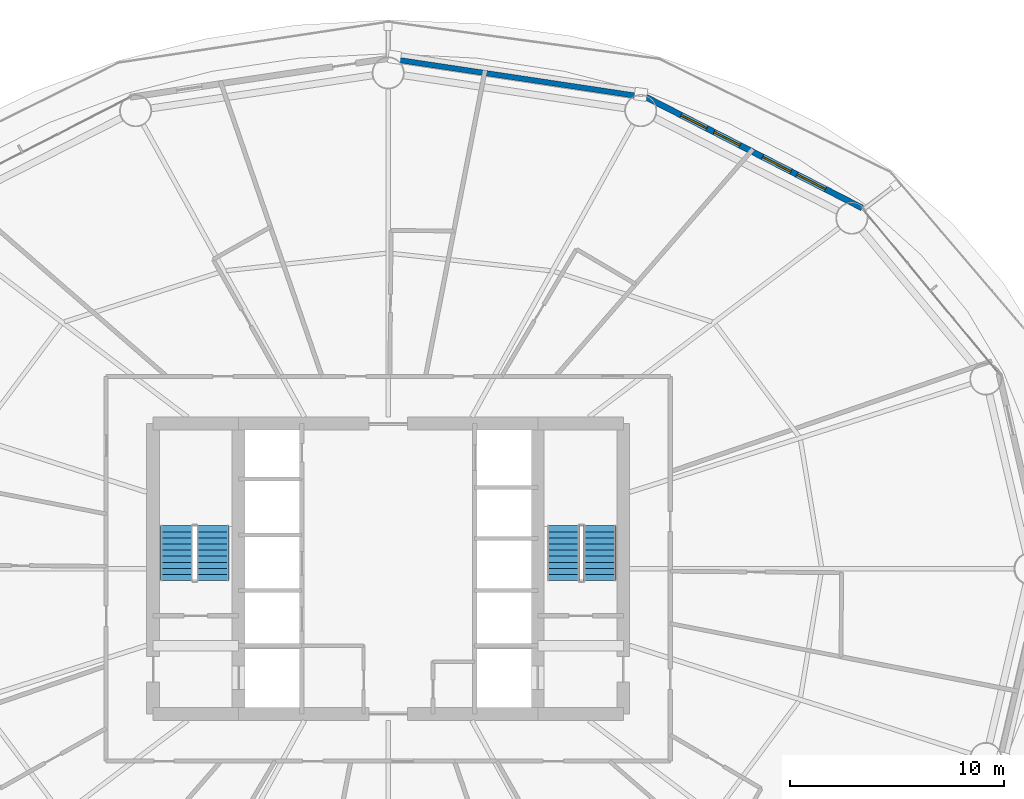
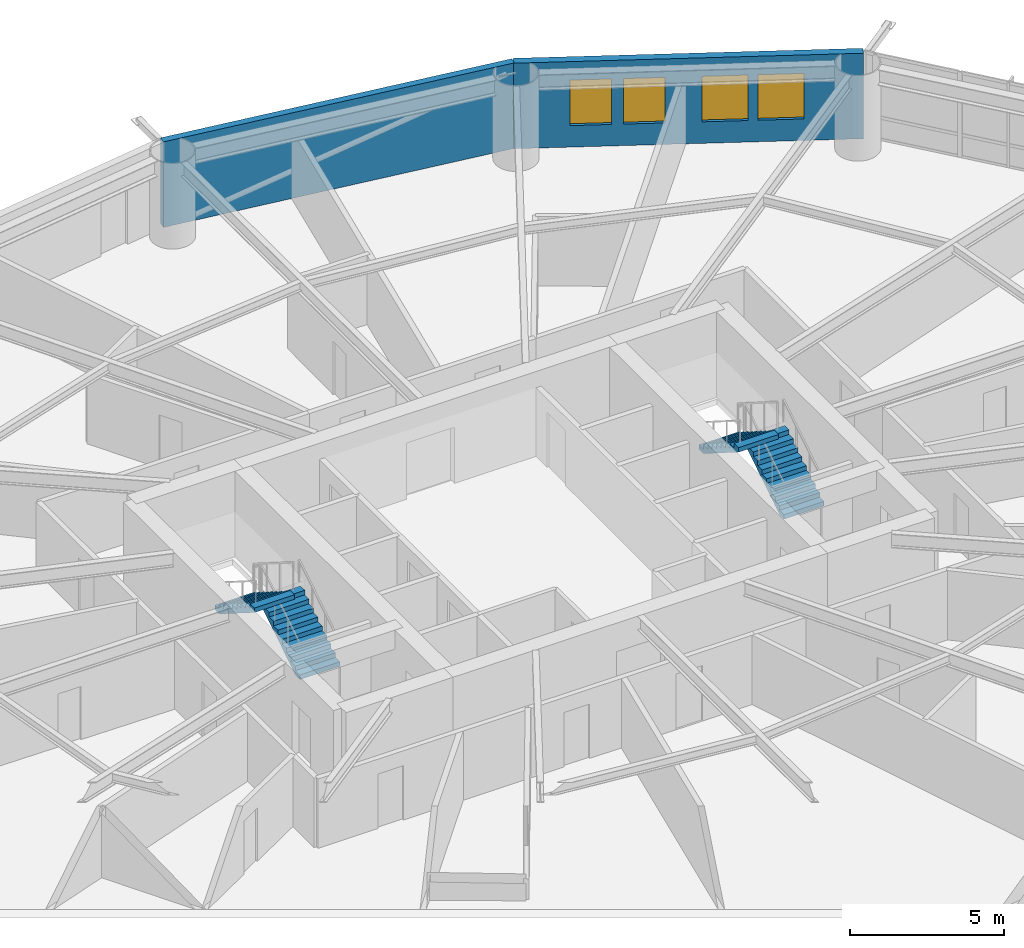
# One storey, part 23 of 26: 4 stair flights, 4 windows, 2 walls, 4 openings, 2 elements without a shape of their own.
"""IFC4 building model written with IfcOpenShell, lengths in metres."""

import ifcopenshell
import ifcopenshell.guid

model = None  # the IFC model being written
_history = None  # IfcOwnerHistory: only IFC2X3 demands one
_inside = {}  # id of a spatial element -> (the spatial element, [elements in it])
_under = {}  # id of a project, library or spatial element -> (it, [spatial elements below it])
_declared = {}  # id of a project -> (the project, [libraries it declares])
_typed = {}  # id of a type object -> (the type object, [elements of that type])
_made_of = {}  # id of a material, layer set ... -> (it, [elements and type objects made of it])


def new_model(schema):
    """Start an empty IFC model of exactly this schema.

    Asked for "IFC4X3", IfcOpenShell would pick the latest addendum, in which some entities
    have other attributes; the version numbers below select the first issue.
    IFC2X3 requires an IfcOwnerHistory on every rooted entity: one is made here for all.
    """
    global model, _history
    if schema == "IFC4X3":
        model = ifcopenshell.file(schema_version=(4, 3, 0, 0))
    else:
        model = ifcopenshell.file(schema=schema)
    _inside.clear()
    _under.clear()
    _declared.clear()
    _typed.clear()
    _made_of.clear()
    _history = None
    if model.schema == "IFC2X3":
        org = make("IfcOrganization", Name="unknown")
        user = make(
            "IfcPersonAndOrganization",
            ThePerson=make("IfcPerson", FamilyName="unknown"),
            TheOrganization=org,
        )
        app = make(
            "IfcApplication",
            ApplicationDeveloper=org,
            Version="unknown",
            ApplicationFullName="unknown",
            ApplicationIdentifier="unknown",
        )
        _history = make(
            "IfcOwnerHistory",
            OwningUser=user,
            OwningApplication=app,
            ChangeAction="ADDED",
            CreationDate=0,
        )
    return model


def make(cls, **values):
    """One entity of the class cls with the attributes given. An attribute that is None is left unset."""
    return model.create_entity(
        cls, **{name: value for name, value in values.items() if value is not None}
    )


def rooted(cls, **values):
    """An entity with a GlobalId (a new one), such as an element, a storey or a relation."""
    return make(cls, GlobalId=ifcopenshell.guid.new(), OwnerHistory=_history, **values)


def si_unit(unit_type, name, prefix=None):
    """IfcSIUnit, for example si_unit("LENGTHUNIT", "METRE", prefix="MILLI")."""
    return make("IfcSIUnit", UnitType=unit_type, Prefix=prefix, Name=name)


def assignment(units):
    """IfcUnitAssignment: the units of a project."""
    return None if units is None else make("IfcUnitAssignment", Units=units)


def point(xyz):
    """IfcCartesianPoint."""
    return None if xyz is None else make("IfcCartesianPoint", Coordinates=xyz)


def direction(xyz):
    """IfcDirection."""
    return None if xyz is None else make("IfcDirection", DirectionRatios=xyz)


def frame(location, z_axis=None, x_axis=None):
    """IfcAxis2Placement3D, a coordinate frame: its origin and axes. An axis left out is left unset."""
    return make(
        "IfcAxis2Placement3D",
        Location=point(location),
        Axis=direction(z_axis),
        RefDirection=direction(x_axis),
    )


def frame_2d(location, x_axis=None):
    """IfcAxis2Placement2D, a coordinate frame in the plane: its origin and x axis."""
    return make(
        "IfcAxis2Placement2D", Location=point(location), RefDirection=direction(x_axis)
    )


def origin():
    """The frame at (0, 0, 0) with its axes left unset."""
    return frame((0.0, 0.0, 0.0))


def place(relative_to, where):
    """IfcLocalPlacement: puts the frame where relative to a parent placement (None: the world)."""
    return make(
        "IfcLocalPlacement", PlacementRelTo=relative_to, RelativePlacement=where
    )


def context(
    kind, dimensions, precision=None, world=None, true_north=None, identifier=None
):
    """IfcGeometricRepresentationContext, for example the 3D "Model" context."""
    return make(
        "IfcGeometricRepresentationContext",
        ContextIdentifier=identifier,
        ContextType=kind,
        CoordinateSpaceDimension=dimensions,
        Precision=precision,
        WorldCoordinateSystem=world,
        TrueNorth=true_north,
    )


def subcontext(parent, identifier, kind, view, scale=None):
    """IfcGeometricRepresentationSubContext, for example "Body" below "Model"."""
    return make(
        "IfcGeometricRepresentationSubContext",
        ContextIdentifier=identifier,
        ContextType=kind,
        ParentContext=parent,
        TargetScale=scale,
        TargetView=view,
    )


def project(units=None, contexts=None):
    """IfcProject with its units and contexts."""
    return rooted(
        "IfcProject",
        Name="project",
        RepresentationContexts=contexts,
        UnitsInContext=assignment(units),
    )


def spatial(cls, under=None, at=None, **own):
    """A site, building, storey or space (cls), placed at a placement, below another one or the project."""
    s = rooted(cls, ObjectPlacement=at, **own)
    if under is not None:
        _under.setdefault(under.id(), (under, []))[1].append(s)
    return s


def polyline(points):
    """IfcPolyline through the points."""
    return make("IfcPolyline", Points=[point(p) for p in points])


def profile(cls, at=None, kind="AREA", **sizes):
    """A parametric profile (cls). Its sizes go by their IFC names, for example OverallWidth=200.0."""
    return make(cls, ProfileType=kind, Position=at, **sizes)


def rectangle(**sizes):
    """IfcRectangleProfileDef."""
    return profile("IfcRectangleProfileDef", **sizes)


def outline(outer, holes=None, kind="AREA"):
    """IfcArbitraryClosedProfileDef: a profile drawn as a closed curve; with holes, ...WithVoids."""
    if holes is None:
        return make("IfcArbitraryClosedProfileDef", ProfileType=kind, OuterCurve=outer)
    return make(
        "IfcArbitraryProfileDefWithVoids",
        ProfileType=kind,
        OuterCurve=outer,
        InnerCurves=holes,
    )


def extrude(swept, where, along, depth):
    """IfcExtrudedAreaSolid: the profile swept, set in the frame where, extruded along a direction by depth."""
    return make(
        "IfcExtrudedAreaSolid",
        SweptArea=swept,
        Position=where,
        ExtrudedDirection=direction(along),
        Depth=depth,
    )


def shape(context_of_items, identifier, shape_type, items):
    """IfcShapeRepresentation: the items that make up one representation, for example the "Body"."""
    return make(
        "IfcShapeRepresentation",
        ContextOfItems=context_of_items,
        RepresentationIdentifier=identifier,
        RepresentationType=shape_type,
        Items=items,
    )


def material(Name=None, Category=None):
    """IfcMaterial."""
    return make("IfcMaterial", Name=Name, Category=Category)


def layer(
    of_material, thickness, ventilated=None, Name=None, Category=None, Priority=None
):
    """IfcMaterialLayer: one layer of a wall or slab, of a material (None: an air gap)."""
    return make(
        "IfcMaterialLayer",
        Material=of_material,
        LayerThickness=thickness,
        IsVentilated=ventilated,
        Name=Name,
        Category=Category,
        Priority=Priority,
    )


def layer_set(layers, Name=None):
    """IfcMaterialLayerSet."""
    return make("IfcMaterialLayerSet", MaterialLayers=layers, LayerSetName=Name)


def made_of(thing, what):
    """Note that an element or type object is made of a material, layer set ...; save() writes the relation."""
    if what is not None:
        _made_of.setdefault(what.id(), (what, []))[1].append(thing)
    return thing


def type_object(cls, material=None, **own):
    """A type object (cls), such as IfcWallType, which elements share."""
    return made_of(rooted(cls, **own), material)


def element(
    cls,
    number,
    at=None,
    inside=None,
    cuts=None,
    type_object=None,
    material=None,
    context=None,
    identifier="Body",
    shape_type=None,
    held_by="IfcProductDefinitionShape",
    body=None,
    shapes=None,
    **own,
):
    """One element of the class cls, such as IfcWall. Its Tag is "e" and its number.

    at: its placement. inside: the storey or other place that contains it. cuts: it is an
    opening in that element (IfcRelVoidsElement). A single representation is given by context,
    identifier, shape_type and body (its items); several are given by shapes. held_by: the class
    of the entity that holds the representations. save() writes the other relations.
    """
    e = rooted(cls, Tag="e%d" % number, ObjectPlacement=at, **own)
    if body is not None:
        shapes = [shape(context, identifier, shape_type, body)]
    if shapes is not None:
        e.Representation = make(held_by, Representations=shapes)
    if inside is not None:
        _inside.setdefault(inside.id(), (inside, []))[1].append(e)
    if cuts is not None:
        rooted(
            "IfcRelVoidsElement", RelatingBuildingElement=cuts, RelatedOpeningElement=e
        )
    if type_object is not None:
        _typed.setdefault(type_object.id(), (type_object, []))[1].append(e)
    return made_of(e, material)


def fill(opening, filler):
    """IfcRelFillsElement: the door or window that sits in an opening."""
    return rooted(
        "IfcRelFillsElement",
        RelatingOpeningElement=opening,
        RelatedBuildingElement=filler,
    )


def aggregate(whole, parts):
    """IfcRelAggregates: a whole, such as a stair, and the parts it consists of."""
    return rooted("IfcRelAggregates", RelatingObject=whole, RelatedObjects=parts)


def save(model, path):
    """Write the relations noted so far, then the file.

    IfcRelAggregates (storeys below a building ...), IfcRelContainedInSpatialStructure (elements
    in a storey), IfcRelDefinesByType, IfcRelAssociatesMaterial and IfcRelDeclares: one each for
    every whole, place, type object, material and project.
    """
    for whole, parts in _under.values():
        aggregate(whole, parts)
    for where, things in _inside.values():
        rooted(
            "IfcRelContainedInSpatialStructure",
            RelatedElements=things,
            RelatingStructure=where,
        )
    for kind, things in _typed.values():
        rooted("IfcRelDefinesByType", RelatedObjects=things, RelatingType=kind)
    for what, things in _made_of.values():
        rooted("IfcRelAssociatesMaterial", RelatedObjects=things, RelatingMaterial=what)
    for by, libraries in _declared.values():
        rooted("IfcRelDeclares", RelatingContext=by, RelatedDefinitions=libraries)
    model.write(path)


model = new_model("IFC4")

# Units and contexts
model_context = context("Model", 3, precision=1e-05, world=origin(), true_north=direction((0.0, 1.0)))
body_context = subcontext(model_context, "Body", "Model", "MODEL_VIEW")
ifc_project = project(units=[si_unit("LENGTHUNIT", "METRE"), si_unit("AREAUNIT", "SQUARE_METRE"), si_unit("VOLUMEUNIT", "CUBIC_METRE"), si_unit("PLANEANGLEUNIT", "RADIAN"), si_unit("MASSUNIT", "GRAM", prefix="KILO")], contexts=[model_context])

# Site, building, storey
site_placement = place(None, origin())
site = spatial("IfcSite", under=ifc_project, at=site_placement, CompositionType="ELEMENT")
building_placement = place(site_placement, origin())
building = spatial("IfcBuilding", under=site, at=building_placement, Name="Sarneth Arch Tower", CompositionType="ELEMENT")
storey_placement = place(building_placement, frame((0.0, 0.0, 71.39990234375)))
storey = spatial("IfcBuildingStorey", under=building, at=storey_placement, Name="L17", CompositionType="ELEMENT", Elevation=71.39990234375)

# Wall
ifc_material_1 = material(Name="Extruded terracotta rainscreen on Concrete C40/50 backing", Category="masonry")
ifc_layer_1 = layer(ifc_material_1, 0.25)
ifc_layer_set_1 = layer_set([ifc_layer_1], Name="Extruded terracotta rainscreen on Concrete C40/50 backing")
wall_type_1 = type_object("IfcWallType", Name="WALL-EXT-SPAND-250", PredefinedType="SOLIDWALL", material=ifc_layer_set_1)
wall_1_placement = place(storey_placement, frame((60.077880859375, 64.062255859375, 0.0), z_axis=(0.0, 0.0, 1.0), x_axis=(-0.988864835849, 0.148816452121, 0.0)))
element("IfcWall", 1, at=wall_1_placement, inside=storey, type_object=wall_type_1, Name="L17 Terracotta perimeter wall 04", PredefinedType="SOLIDWALL", context=body_context, shape_type="SweptSolid", body=[
    extrude(rectangle(XDim=12.2138671875, YDim=0.25, at=frame_2d((6.10693359375, 0.0))), origin(), (0.0, 0.0, 1.0), 3.380126953125),
])

# Wall, openings, windows
ifc_material_2 = material(Name="Extruded terracotta rainscreen on Concrete C40/50 backing", Category="masonry")
ifc_layer_2 = layer(ifc_material_2, 0.280029296875)
ifc_layer_set_2 = layer_set([ifc_layer_2], Name="Extruded terracotta rainscreen on Concrete C40/50 backing")
wall_type_2 = type_object("IfcWallType", Name="WALL-EXT-TERRA-280", PredefinedType="SOLIDWALL", material=ifc_layer_set_2)
wall_2_placement = place(storey_placement, frame((70.174072265625, 58.8857421875, 0.0), z_axis=(0.0, 0.0, 1.0), x_axis=(-0.889853976658, 0.456245438581, 0.0)))
wall_2 = element("IfcWall", 2, at=wall_2_placement, inside=storey, type_object=wall_type_2, Name="L17 Terracotta perimeter wall 03", PredefinedType="SOLIDWALL", context=body_context, shape_type="SweptSolid", body=[
    extrude(rectangle(XDim=11.345947265625, YDim=0.280029296875, at=frame_2d((5.6728515625, 0.0))), origin(), (0.0, 0.0, 1.0), 3.380126953125),
])
opening_1_placement = place(wall_2_placement, frame((1.919677734375, 0.0, 0.85009765625)))
opening_1 = element("IfcOpeningElement", 3, at=opening_1_placement, cuts=wall_2, Name="Opening W-07", PredefinedType="OPENING", context=body_context, shape_type="SweptSolid", body=[
    extrude(rectangle(XDim=1.5, YDim=1.800048828125, at=frame_2d((0.75, 0.89990234375))), frame((0.0, 0.14990234375, 0.0), z_axis=(0.0, -1.0, 0.0), x_axis=(1.0, 0.0, 0.0)), (0.0, 0.0, 1.0), 0.300048828125),
])
opening_2_placement = place(wall_2_placement, frame((3.733642578125, 0.0, 0.85009765625)))
opening_2 = element("IfcOpeningElement", 4, at=opening_2_placement, cuts=wall_2, Name="Opening W-07", PredefinedType="OPENING", context=body_context, shape_type="SweptSolid", body=[
    extrude(rectangle(XDim=1.5, YDim=1.800048828125, at=frame_2d((0.75, 0.89990234375))), frame((0.0, 0.14990234375, 0.0), z_axis=(0.0, -1.0, 0.0), x_axis=(1.0, 0.0, 0.0)), (0.0, 0.0, 1.0), 0.300048828125),
])
opening_3_placement = place(wall_2_placement, frame((6.4287109375, 0.0, 0.85009765625)))
opening_3 = element("IfcOpeningElement", 5, at=opening_3_placement, cuts=wall_2, Name="Opening W-08", PredefinedType="OPENING", context=body_context, shape_type="SweptSolid", body=[
    extrude(rectangle(XDim=1.35009765625, YDim=1.800048828125, at=frame_2d((0.675048828125, 0.89990234375))), frame((0.0, 0.14990234375, 0.0), z_axis=(0.0, -1.0, 0.0), x_axis=(1.0, 0.0, 0.0)), (0.0, 0.0, 1.0), 0.300048828125),
])
opening_4_placement = place(wall_2_placement, frame((8.15966796875, 0.0, 0.85009765625)))
opening_4 = element("IfcOpeningElement", 6, at=opening_4_placement, cuts=wall_2, Name="Opening W-08", PredefinedType="OPENING", context=body_context, shape_type="SweptSolid", body=[
    extrude(rectangle(XDim=1.35009765625, YDim=1.800048828125, at=frame_2d((0.675048828125, 0.89990234375))), frame((0.0, 0.14990234375, 0.0), z_axis=(0.0, -1.0, 0.0), x_axis=(1.0, 0.0, 0.0)), (0.0, 0.0, 1.0), 0.300048828125),
])
ifc_material_3 = material(Name="Thermally broken Aluminium 6063-T6 and low-e laminated IGU", Category="aluminium")
window_type_1 = type_object("IfcWindowType", Name="WIN-TWR-1350x1800", PartitioningType="SINGLE_PANEL", PredefinedType="WINDOW", material=ifc_material_3)
window_1_placement = place(opening_3_placement, origin())
window_1 = element("IfcWindow", 7, at=window_1_placement, inside=storey, type_object=window_type_1, Name="L17 Exterior window 03C", OverallHeight=1.800048828125, OverallWidth=1.35009765625, PartitioningType="SINGLE_PANEL", PredefinedType="WINDOW", context=body_context, shape_type="SweptSolid", body=[
    extrude(rectangle(XDim=1.35009765625, YDim=1.800048828125, at=frame_2d((0.675048828125, 0.89990234375))), frame((0.0, 0.030029296875, 0.0), z_axis=(0.0, -1.0, 0.0), x_axis=(1.0, 0.0, 0.0)), (0.0, 0.0, 1.0), 0.06005859375),
])
fill(opening_3, window_1)
window_2_placement = place(opening_4_placement, origin())
window_2 = element("IfcWindow", 8, at=window_2_placement, inside=storey, type_object=window_type_1, Name="L17 Exterior window 03D", OverallHeight=1.800048828125, OverallWidth=1.35009765625, PartitioningType="SINGLE_PANEL", PredefinedType="WINDOW", context=body_context, shape_type="SweptSolid", body=[
    extrude(rectangle(XDim=1.35009765625, YDim=1.800048828125, at=frame_2d((0.675048828125, 0.89990234375))), frame((0.0, 0.030029296875, 0.0), z_axis=(0.0, -1.0, 0.0), x_axis=(1.0, 0.0, 0.0)), (0.0, 0.0, 1.0), 0.06005859375),
])
fill(opening_4, window_2)
ifc_material_4 = material(Name="Thermally broken Aluminium 6063-T6 and low-e laminated IGU", Category="aluminium")
window_type_2 = type_object("IfcWindowType", Name="WIN-TWR-1500x1800", PartitioningType="SINGLE_PANEL", PredefinedType="WINDOW", material=ifc_material_4)
window_3_placement = place(opening_1_placement, origin())
window_3 = element("IfcWindow", 9, at=window_3_placement, inside=storey, type_object=window_type_2, Name="L17 Exterior window 03A", OverallHeight=1.800048828125, OverallWidth=1.5, PartitioningType="SINGLE_PANEL", PredefinedType="WINDOW", context=body_context, shape_type="SweptSolid", body=[
    extrude(rectangle(XDim=1.5, YDim=1.800048828125, at=frame_2d((0.75, 0.89990234375))), frame((0.0, 0.030029296875, 0.0), z_axis=(0.0, -1.0, 0.0), x_axis=(1.0, 0.0, 0.0)), (0.0, 0.0, 1.0), 0.06005859375),
])
fill(opening_1, window_3)
window_4_placement = place(opening_2_placement, origin())
window_4 = element("IfcWindow", 10, at=window_4_placement, inside=storey, type_object=window_type_2, Name="L17 Exterior window 03B", OverallHeight=1.800048828125, OverallWidth=1.5, PartitioningType="SINGLE_PANEL", PredefinedType="WINDOW", context=body_context, shape_type="SweptSolid", body=[
    extrude(rectangle(XDim=1.5, YDim=1.800048828125, at=frame_2d((0.75, 0.89990234375))), frame((0.0, 0.030029296875, 0.0), z_axis=(0.0, -1.0, 0.0), x_axis=(1.0, 0.0, 0.0)), (0.0, 0.0, 1.0), 0.06005859375),
])
fill(opening_2, window_4)

# Stair, stair flights
ifc_material_5 = material(Name="Concrete C50/60", Category="concrete")
stair_type = type_object("IfcStairType", Name="STAIR-CORE-RC", PredefinedType="HALF_TURN_STAIR", material=ifc_material_5)
stair_1_placement = place(storey_placement, origin())
stair_1 = element("IfcStair", 11, at=stair_1_placement, inside=storey, type_object=stair_type, Name="L17 Core Exit Stair 1", PredefinedType="HALF_TURN_STAIR")
ifc_material_6 = material(Name="Concrete C50/60", Category="concrete")
stair_flight_type = type_object("IfcStairFlightType", Name="FLIGHT-RC-1500", PredefinedType="STRAIGHT", material=ifc_material_6)
stair_flight_1_placement = place(storey_placement, frame((39.800048828125, 41.449951171875, 0.0), z_axis=(0.0, 0.0, 1.0), x_axis=(0.0, 1.0, 0.0)))
stair_flight_1 = element("IfcStairFlight", 12, at=stair_flight_1_placement, type_object=stair_flight_type, Name="ST-1 flight 1", NumberOfRisers=10, NumberOfTreads=9, PredefinedType="STRAIGHT", RiserHeight=0.18, TreadLength=0.285, context=body_context, shape_type="SweptSolid", body=[
    extrude(outline(polyline([(0.0, 0.0), (0.0, 0.179931640625), (0.284912109375, 0.179931640625), (0.284912109375, 0.360107421875), (0.570068359375, 0.360107421875), (0.570068359375, 0.5400390625), (0.85498046875, 0.5400390625), (0.85498046875, 0.719970703125), (1.139892578125, 0.719970703125), (1.139892578125, 0.89990234375), (1.425048828125, 0.89990234375), (1.425048828125, 1.080078125), (1.7099609375, 1.080078125), (1.7099609375, 1.260009765625), (1.9951171875, 1.260009765625), (1.9951171875, 1.43994140625), (2.280029296875, 1.43994140625), (2.280029296875, 1.6201171875), (2.56494140625, 1.6201171875), (2.56494140625, 1.800048828125), (2.56494140625, 1.442626953125), (0.28076171875, 0.0), (0.0, 0.0)])), frame((0.0, 0.75, 0.0), z_axis=(0.0, -1.0, 0.0), x_axis=(1.0, 0.0, 0.0)), (0.0, 0.0, 1.0), 1.5),
])
stair_flight_2_placement = place(storey_placement, frame((38.10009765625, 44.014892578125, 1.800048828125), z_axis=(0.0, 0.0, 1.0), x_axis=(0.0, -1.0, 0.0)))
stair_flight_2 = element("IfcStairFlight", 13, at=stair_flight_2_placement, type_object=stair_flight_type, Name="ST-1 flight 2", NumberOfRisers=10, NumberOfTreads=9, PredefinedType="STRAIGHT", RiserHeight=0.18, TreadLength=0.285, context=body_context, shape_type="SweptSolid", body=[
    extrude(outline(polyline([(0.0, 0.0), (0.0, 0.179931640625), (0.284912109375, 0.179931640625), (0.284912109375, 0.360107421875), (0.570068359375, 0.360107421875), (0.570068359375, 0.5400390625), (0.85498046875, 0.5400390625), (0.85498046875, 0.719970703125), (1.139892578125, 0.719970703125), (1.139892578125, 0.89990234375), (1.425048828125, 0.89990234375), (1.425048828125, 1.080078125), (1.7099609375, 1.080078125), (1.7099609375, 1.260009765625), (1.9951171875, 1.260009765625), (1.9951171875, 1.43994140625), (2.280029296875, 1.43994140625), (2.280029296875, 1.6201171875), (2.56494140625, 1.6201171875), (2.56494140625, 1.800048828125), (2.56494140625, 1.442626953125), (0.28076171875, 0.0), (0.0, 0.0)])), frame((0.0, 0.75, 0.0), z_axis=(0.0, -1.0, 0.0), x_axis=(1.0, 0.0, 0.0)), (0.0, 0.0, 1.0), 1.5),
])
aggregate(stair_1, [stair_flight_1, stair_flight_2])

stair_2_placement = place(storey_placement, origin())
stair_2 = element("IfcStair", 14, at=stair_2_placement, inside=storey, type_object=stair_type, Name="L17 Core Exit Stair 2", PredefinedType="HALF_TURN_STAIR")
stair_flight_3_placement = place(storey_placement, frame((57.89990234375, 41.449951171875, 0.0), z_axis=(0.0, 0.0, 1.0), x_axis=(0.0, 1.0, 0.0)))
stair_flight_3 = element("IfcStairFlight", 15, at=stair_flight_3_placement, type_object=stair_flight_type, Name="ST-2 flight 1", NumberOfRisers=10, NumberOfTreads=9, PredefinedType="STRAIGHT", RiserHeight=0.18, TreadLength=0.285, context=body_context, shape_type="SweptSolid", body=[
    extrude(outline(polyline([(0.0, 0.0), (0.0, 0.179931640625), (0.284912109375, 0.179931640625), (0.284912109375, 0.360107421875), (0.570068359375, 0.360107421875), (0.570068359375, 0.5400390625), (0.85498046875, 0.5400390625), (0.85498046875, 0.719970703125), (1.139892578125, 0.719970703125), (1.139892578125, 0.89990234375), (1.425048828125, 0.89990234375), (1.425048828125, 1.080078125), (1.7099609375, 1.080078125), (1.7099609375, 1.260009765625), (1.9951171875, 1.260009765625), (1.9951171875, 1.43994140625), (2.280029296875, 1.43994140625), (2.280029296875, 1.6201171875), (2.56494140625, 1.6201171875), (2.56494140625, 1.800048828125), (2.56494140625, 1.442626953125), (0.28076171875, 0.0), (0.0, 0.0)])), frame((0.0, 0.75, 0.0), z_axis=(0.0, -1.0, 0.0), x_axis=(1.0, 0.0, 0.0)), (0.0, 0.0, 1.0), 1.5),
])
stair_flight_4_placement = place(storey_placement, frame((56.199951171875, 44.014892578125, 1.800048828125), z_axis=(0.0, 0.0, 1.0), x_axis=(0.0, -1.0, 0.0)))
stair_flight_4 = element("IfcStairFlight", 16, at=stair_flight_4_placement, type_object=stair_flight_type, Name="ST-2 flight 2", NumberOfRisers=10, NumberOfTreads=9, PredefinedType="STRAIGHT", RiserHeight=0.18, TreadLength=0.285, context=body_context, shape_type="SweptSolid", body=[
    extrude(outline(polyline([(0.0, 0.0), (0.0, 0.179931640625), (0.284912109375, 0.179931640625), (0.284912109375, 0.360107421875), (0.570068359375, 0.360107421875), (0.570068359375, 0.5400390625), (0.85498046875, 0.5400390625), (0.85498046875, 0.719970703125), (1.139892578125, 0.719970703125), (1.139892578125, 0.89990234375), (1.425048828125, 0.89990234375), (1.425048828125, 1.080078125), (1.7099609375, 1.080078125), (1.7099609375, 1.260009765625), (1.9951171875, 1.260009765625), (1.9951171875, 1.43994140625), (2.280029296875, 1.43994140625), (2.280029296875, 1.6201171875), (2.56494140625, 1.6201171875), (2.56494140625, 1.800048828125), (2.56494140625, 1.442626953125), (0.28076171875, 0.0), (0.0, 0.0)])), frame((0.0, 0.75, 0.0), z_axis=(0.0, -1.0, 0.0), x_axis=(1.0, 0.0, 0.0)), (0.0, 0.0, 1.0), 1.5),
])
aggregate(stair_2, [stair_flight_3, stair_flight_4])

save(model, "model.ifc")
